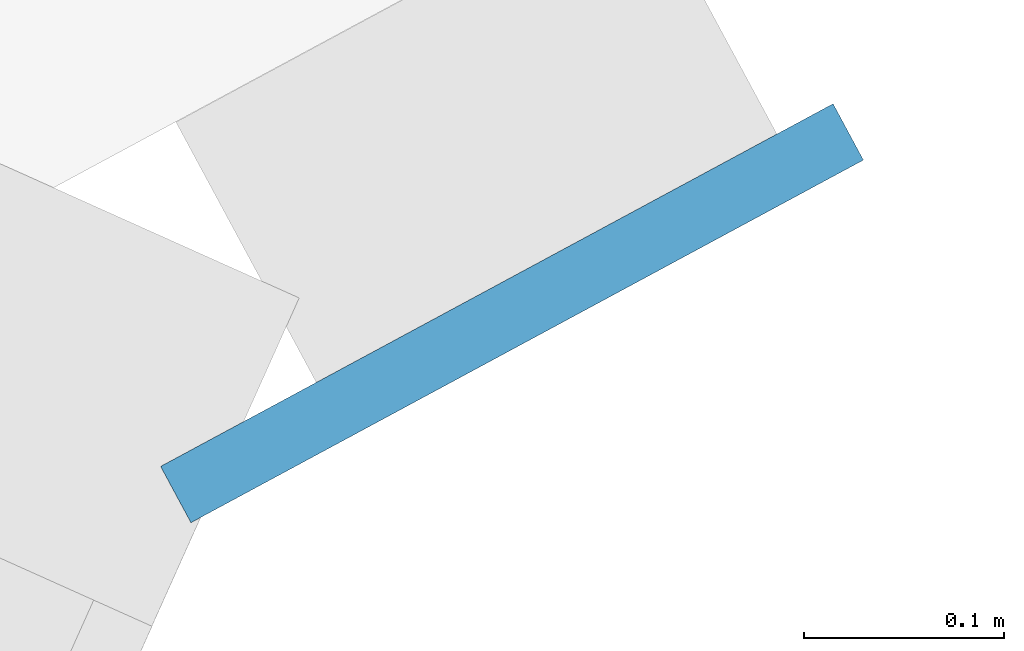
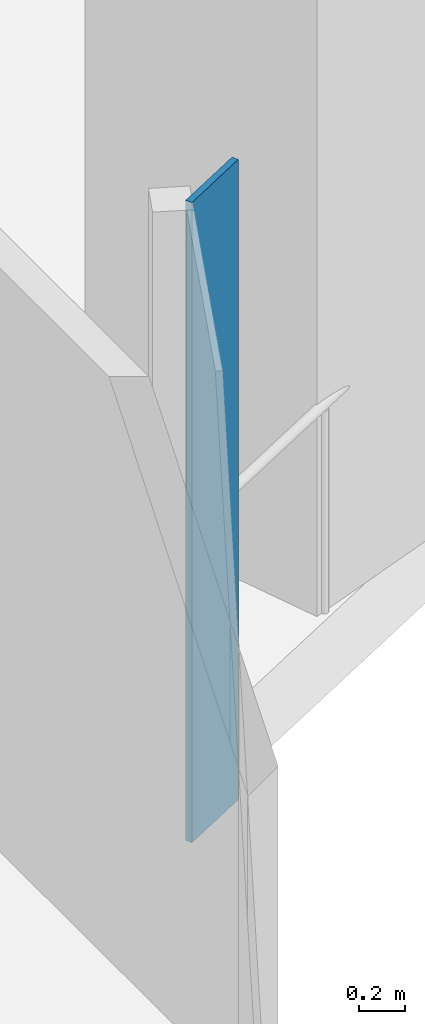
# One storey, part 16 of 32: 1 plate, 1 element without a shape of its own.
"""IFC4 building model written with IfcOpenShell, lengths in metres."""

from ifc_helpers import new_model, si_unit, direction, frame, origin, origin_2d, place, context, subcontext, project, spatial, rectangle, extrude, material, layer, layer_set, type_object, element, aggregate, save


model = new_model("IFC4")

# Units and contexts
model_context = context("Model", 3, precision=1e-05, world=origin(), true_north=direction((0.0, 1.0)))
body_context = subcontext(model_context, "Body", "Model", "MODEL_VIEW")
ifc_project = project(units=[si_unit("LENGTHUNIT", "METRE"), si_unit("AREAUNIT", "SQUARE_METRE"), si_unit("VOLUMEUNIT", "CUBIC_METRE"), si_unit("PLANEANGLEUNIT", "RADIAN"), si_unit("MASSUNIT", "GRAM", prefix="KILO")], contexts=[model_context])

# Site, building, storey
site_placement = place(None, origin())
site = spatial("IfcSite", under=ifc_project, at=site_placement, CompositionType="ELEMENT")
building_placement = place(site_placement, origin())
building = spatial("IfcBuilding", under=site, at=building_placement, Name="Orlundy Tower", CompositionType="ELEMENT")
storey_placement = place(building_placement, frame((0.0, 0.0, 123.699951171875)))
storey = spatial("IfcBuildingStorey", under=building, at=storey_placement, Name="L31", CompositionType="ELEMENT", Elevation=123.699951171875)

# Curtain wall, plate
ifc_material_1 = material(Name="Aluminium bronze anodised", Category="aluminium")
curtain_wall_type = type_object("IfcCurtainWallType", Name="CW1 wall", PredefinedType="NOTDEFINED", material=ifc_material_1)
curtain_wall_placement = place(storey_placement, origin())
curtain_wall = element("IfcCurtainWall", 1, at=curtain_wall_placement, inside=storey, type_object=curtain_wall_type, Name="CW1 run 017", PredefinedType="NOTDEFINED")
ifc_material_2 = material(Name="Tinted glass", Category="glass")
ifc_layer = layer(ifc_material_2, 0.031982421875)
ifc_layer_set = layer_set([ifc_layer], Name="CW1 glass panel 32")
plate_type = type_object("IfcPlateType", Name="CW1 glass panel 32", PredefinedType="CURTAIN_PANEL", material=ifc_layer_set)
plate_placement = place(storey_placement, frame((9.037841796875, -29.396240234375, -0.27978515625), z_axis=(0.0, 0.0, 1.0), x_axis=(-0.88019320423, -0.474615553081, 0.0)))
plate = element("IfcPlate", 2, at=plate_placement, type_object=plate_type, Name="CW1 panel", PredefinedType="CURTAIN_PANEL", context=body_context, shape_type="SweptSolid", body=[
    extrude(rectangle(XDim=0.382080078125, YDim=0.031982421875, at=origin_2d()), origin(), (0.0, 0.0, 1.0), 3.3798828125),
])
aggregate(curtain_wall, [plate])

save(model, "model.ifc")
